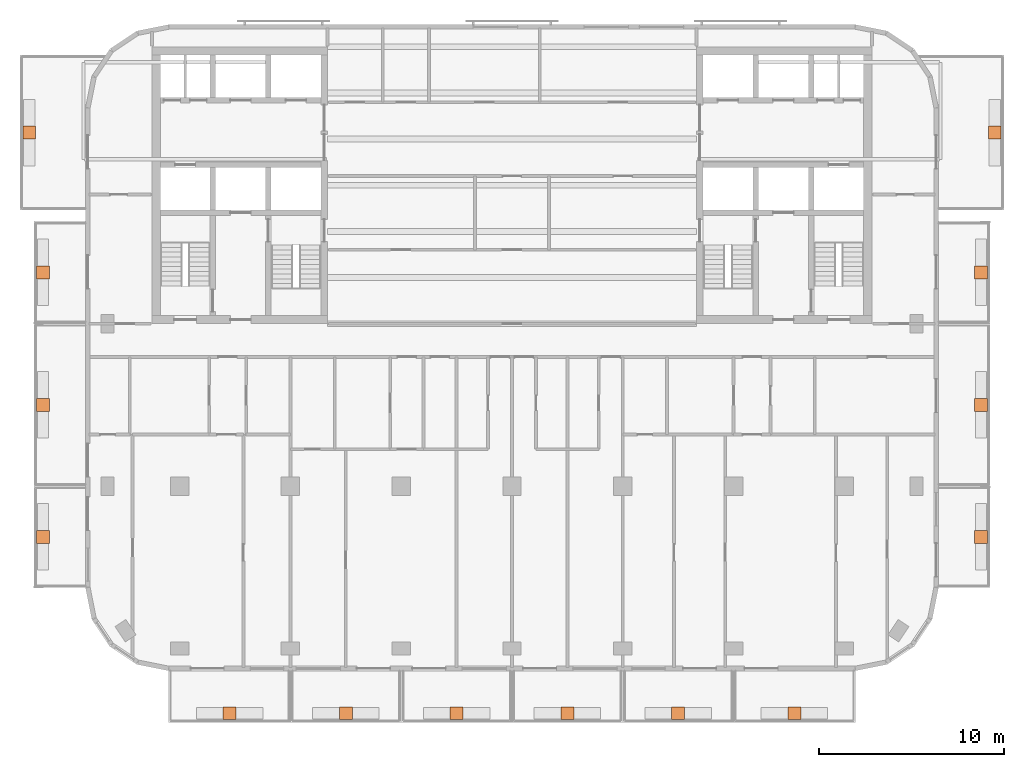
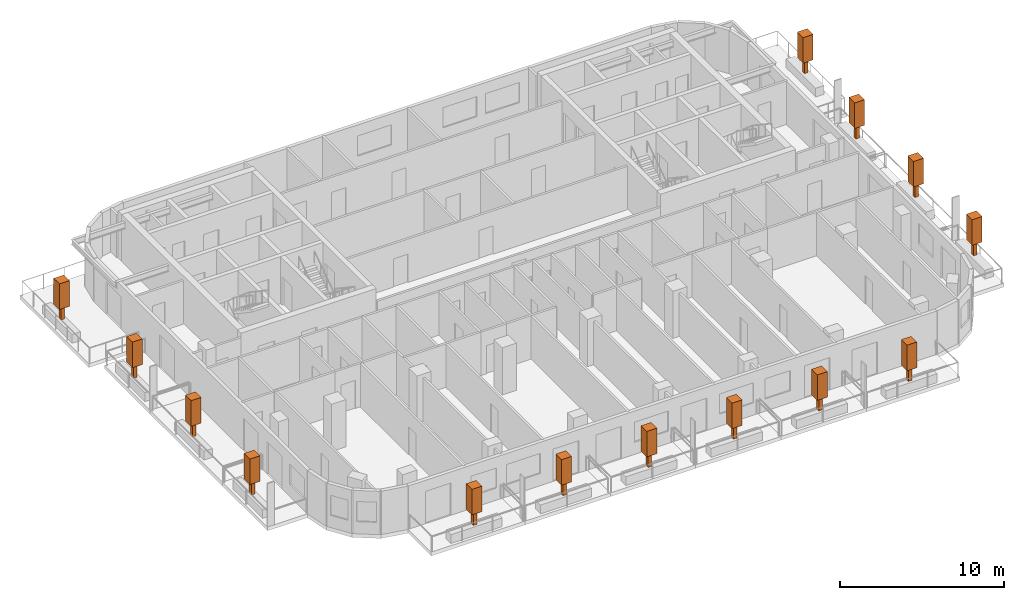
# One storey, part 11 of 11: 14 geographic elements.
"""IFC4 building model written with IfcOpenShell, lengths in metres."""

from ifc_helpers import new_model, si_unit, direction, frame, origin, origin_2d, place, context, subcontext, project, spatial, rectangle, extrude, material, element, save


model = new_model("IFC4")

# Units and contexts
model_context = context("Model", 3, precision=1e-05, world=origin(), true_north=direction((0.0, 1.0)))
body_context = subcontext(model_context, "Body", "Model", "MODEL_VIEW")
ifc_project = project(units=[si_unit("LENGTHUNIT", "METRE"), si_unit("AREAUNIT", "SQUARE_METRE"), si_unit("VOLUMEUNIT", "CUBIC_METRE"), si_unit("PLANEANGLEUNIT", "RADIAN"), si_unit("MASSUNIT", "GRAM", prefix="KILO")], contexts=[model_context])

# Site, building, storey
site_placement = place(None, origin())
site = spatial("IfcSite", under=ifc_project, at=site_placement, CompositionType="ELEMENT")
building_placement = place(site_placement, origin())
building = spatial("IfcBuilding", under=site, at=building_placement, Name="Torana Hotel and Residences", CompositionType="ELEMENT")
storey_placement = place(building_placement, frame((0.0, 0.0, 284.10009765625)))
storey = spatial("IfcBuildingStorey", under=building, at=storey_placement, Name="L75", CompositionType="ELEMENT", Elevation=284.10009765625)

# Geographic elements
ifc_material = material(Name="Foliage", Category="planting")
for number, where, z_axis, x_axis, name in (
    (1, (-15.300048828125, -36.10009765625, 0.64990234375), (0.0, 0.0, 1.0), (1.0, 0.0, 0.0), "Tree 01"),
    (2, (-9.0, -36.10009765625, 0.64990234375), (0.0, 0.0, 1.0), (1.0, 0.0, 0.0), "Tree 02"),
    (3, (-3.0, -36.10009765625, 0.64990234375), (0.0, 0.0, 1.0), (1.0, 0.0, 0.0), "Tree 03"),
    (4, (3.0, -36.10009765625, 0.64990234375), (0.0, 0.0, 1.0), (1.0, 0.0, 0.0), "Tree 04"),
    (5, (9.0, -36.10009765625, 0.64990234375), (0.0, 0.0, 1.0), (1.0, 0.0, 0.0), "Tree 05"),
    (6, (15.300048828125, -36.10009765625, 0.64990234375), (0.0, 0.0, 1.0), (1.0, 0.0, 0.0), "Tree 06"),
    (7, (-25.39990234375, -26.550048828125, 0.64990234375), (0.0, 0.0, 1.0), (1.0, 0.0, 0.0), "Tree 07"),
    (8, (-25.39990234375, -19.39990234375, 0.64990234375), (0.0, 0.0, 1.0), (1.0, 0.0, 0.0), "Tree 08"),
    (9, (-25.39990234375, -12.22509765625, 0.64990234375), (0.0, 0.0, 1.0), (1.0, 0.0, 0.0), "Tree 09"),
    (10, (-26.14990234375, -4.64990234375, 0.64990234375), (0.0, 0.0, 1.0), (1.0, 0.0, 0.0), "Tree 10"),
    (11, (25.39990234375, -26.550048828125, 0.64990234375), (0.0, 0.0, 1.0), (1.0, 0.0, 0.0), "Tree 11"),
    (12, (25.39990234375, -19.39990234375, 0.64990234375), (0.0, 0.0, 1.0), (1.0, 0.0, 0.0), "Tree 12"),
    (13, (25.39990234375, -12.22509765625, 0.64990234375), (0.0, 0.0, 1.0), (1.0, 0.0, 0.0), "Tree 13"),
    (14, (26.14990234375, -4.64990234375, 0.64990234375), (0.0, 0.0, 1.0), (1.0, 0.0, 0.0), "Tree 14"),
):
    element("IfcGeographicElement", number, at=place(storey_placement, frame(where, z_axis=z_axis, x_axis=x_axis)), inside=storey, material=ifc_material, Name=name, ObjectType="TREE", PredefinedType="USERDEFINED", context=body_context, shape_type="SweptSolid", body=[
        extrude(rectangle(XDim=0.25, YDim=0.25, at=origin_2d()), origin(), (0.0, 0.0, 1.0), 1.0),
        extrude(rectangle(XDim=0.699951171875, YDim=0.699951171875, at=origin_2d()), frame((0.0, 0.0, 1.0)), (0.0, 0.0, 1.0), 1.89990234375),
    ])

save(model, "model.ifc")
